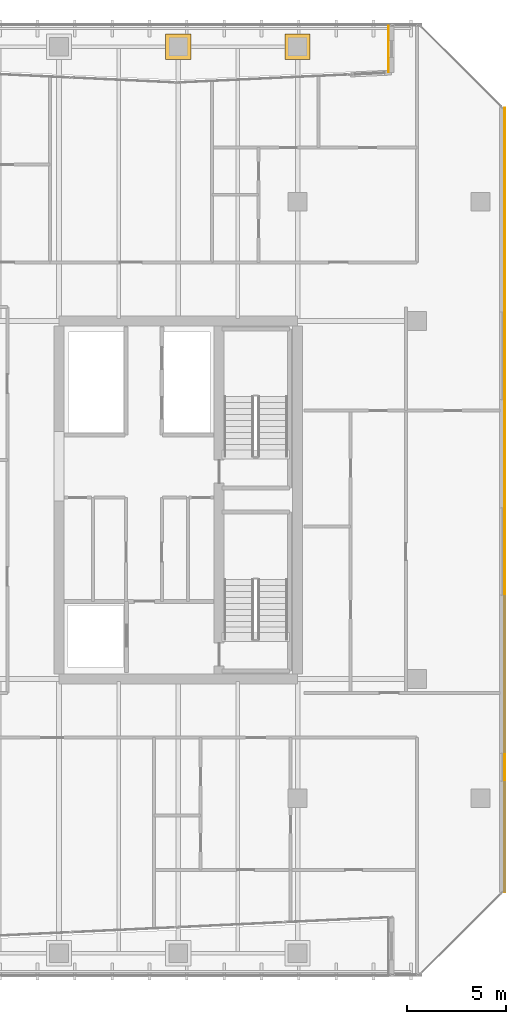
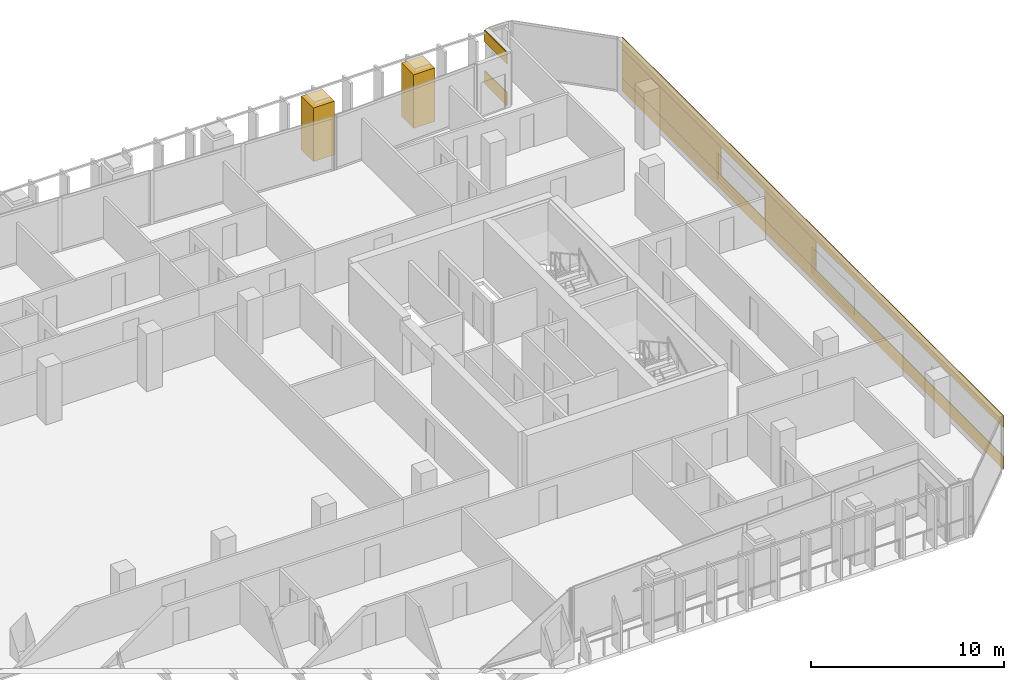
# One storey, part 39 of 39: 8 coverings.
"""IFC4 building model written with IfcOpenShell, lengths in metres."""

from ifc_helpers import new_model, si_unit, direction, frame, origin, origin_2d, place, context, subcontext, project, spatial, rectangle, extrude, material, layer, layer_set, type_object, element, save


model = new_model("IFC4")

# Units and contexts
model_context = context("Model", 3, precision=1e-05, world=origin(), true_north=direction((0.0, 1.0)))
body_context = subcontext(model_context, "Body", "Model", "MODEL_VIEW")
ifc_project = project(units=[si_unit("LENGTHUNIT", "METRE"), si_unit("AREAUNIT", "SQUARE_METRE"), si_unit("VOLUMEUNIT", "CUBIC_METRE"), si_unit("PLANEANGLEUNIT", "RADIAN"), si_unit("MASSUNIT", "GRAM", prefix="KILO")], contexts=[model_context])

# Site, building, storey
site_placement = place(None, origin())
site = spatial("IfcSite", under=ifc_project, at=site_placement, CompositionType="ELEMENT")
building_placement = place(site_placement, origin())
building = spatial("IfcBuilding", under=site, at=building_placement, Name="Tanjung Sevakor Pilgrim Tower", CompositionType="ELEMENT")
storey_placement = place(building_placement, frame((0.0, 0.0, 108.570068359375)))
storey = spatial("IfcBuildingStorey", under=building, at=storey_placement, Name="L30", CompositionType="ELEMENT", Elevation=108.570068359375)

# Coverings
ifc_material = material(Name="Reconstructed Limestone Cladding", Category="masonry")
ifc_layer = layer(ifc_material, 0.044921875)
ifc_layer_set = layer_set([ifc_layer], Name="COV-CLAD-LIMESTONE")
covering_type = type_object("IfcCoveringType", Name="COV-CLAD-LIMESTONE", PredefinedType="CLADDING", material=ifc_layer_set)
covering_1_placement = place(storey_placement, frame((100.422607421875, 33.60009765625, 0.009765625), z_axis=(0.0, 0.0, 1.0), x_axis=(0.0, 1.0, 0.0)))
element("IfcCovering", 1, at=covering_1_placement, inside=storey, type_object=covering_type, Name="L30 Warm Limestone Sill Spandrel EW-L30-MAIN-17-1", PredefinedType="CLADDING", context=body_context, shape_type="SweptSolid", body=[
    extrude(rectangle(XDim=39.41650390625, YDim=0.044921875, at=origin_2d()), origin(), (0.0, 0.0, 1.0), 0.840087890625),
])
covering_2_placement = place(storey_placement, frame((100.422607421875, 33.60009765625, 2.66015625), z_axis=(0.0, 0.0, 1.0), x_axis=(0.0, 1.0, 0.0)))
element("IfcCovering", 2, at=covering_2_placement, inside=storey, type_object=covering_type, Name="L30 Warm Limestone Cornice Spandrel EW-L30-MAIN-17", PredefinedType="CLADDING", context=body_context, shape_type="SweptSolid", body=[
    extrude(rectangle(XDim=39.456298828125, YDim=0.044921875, at=origin_2d()), origin(), (0.0, 0.0, 1.0), 0.739990234375),
])
covering_3_placement = place(storey_placement, frame((100.422607421875, 35.929931640625, 0.849853515625), z_axis=(0.0, 0.0, 1.0), x_axis=(0.0, 1.0, 0.0)))
element("IfcCovering", 3, at=covering_3_placement, inside=storey, type_object=covering_type, Name="L30 Warm Limestone Pier Panel EW-L30-MAIN-17-3", PredefinedType="CLADDING", context=body_context, shape_type="SweptSolid", body=[
    extrude(rectangle(XDim=5.340087890625, YDim=0.044921875, at=origin_2d()), origin(), (0.0, 0.0, 1.0), 1.81005859375),
])
covering_4_placement = place(storey_placement, frame((100.422607421875, 48.2041015625, 0.849853515625), z_axis=(0.0, 0.0, 1.0), x_axis=(0.0, 1.0, 0.0)))
element("IfcCovering", 4, at=covering_4_placement, inside=storey, type_object=covering_type, Name="L30 Warm Limestone Pier Panel EW-L30-MAIN-17-4", PredefinedType="CLADDING", context=body_context, shape_type="SweptSolid", body=[
    extrude(rectangle(XDim=10.208251953125, YDim=0.044921875, at=origin_2d()), origin(), (0.0, 0.0, 1.0), 1.81005859375),
])
covering_5_placement = place(storey_placement, frame((94.577392578125, 56.287841796875, 0.009765625), z_axis=(0.0, 0.0, 1.0), x_axis=(0.0, -1.0, 0.0)))
element("IfcCovering", 5, at=covering_5_placement, inside=storey, type_object=covering_type, Name="L30 Warm Limestone Sill Spandrel EW-L30-MAIN-20-1", PredefinedType="CLADDING", context=body_context, shape_type="SweptSolid", body=[
    extrude(rectangle(XDim=2.294189453125, YDim=0.044921875, at=origin_2d()), origin(), (0.0, 0.0, 1.0), 0.840087890625),
])
covering_6_placement = place(storey_placement, frame((94.577392578125, 56.287841796875, 2.66015625), z_axis=(0.0, 0.0, 1.0), x_axis=(0.0, -1.0, 0.0)))
element("IfcCovering", 6, at=covering_6_placement, inside=storey, type_object=covering_type, Name="L30 Warm Limestone Cornice Spandrel EW-L30-MAIN-20", PredefinedType="CLADDING", context=body_context, shape_type="SweptSolid", body=[
    extrude(rectangle(XDim=2.334228515625, YDim=0.044921875, at=origin_2d()), origin(), (0.0, 0.0, 1.0), 0.739990234375),
])
for number, where, z_axis, x_axis, name in (
    (7, (84.0, 56.39990234375, 0.009765625), (0.0, 0.0, 1.0), (1.0, 0.0, 0.0), "L30 Colonnade Pier Limestone Casing 44"),
    (8, (90.0, 56.39990234375, 0.009765625), (0.0, 0.0, 1.0), (1.0, 0.0, 0.0), "L30 Colonnade Pier Limestone Casing 46"),
):
    element("IfcCovering", number, at=place(storey_placement, frame(where, z_axis=z_axis, x_axis=x_axis)), inside=storey, type_object=covering_type, Name=name, PredefinedType="CLADDING", context=body_context, shape_type="SweptSolid", body=[
        extrude(rectangle(XDim=1.260009765625, YDim=1.260009765625, at=origin_2d()), origin(), (0.0, 0.0, 1.0), 3.389892578125),
    ])

save(model, "model.ifc")
